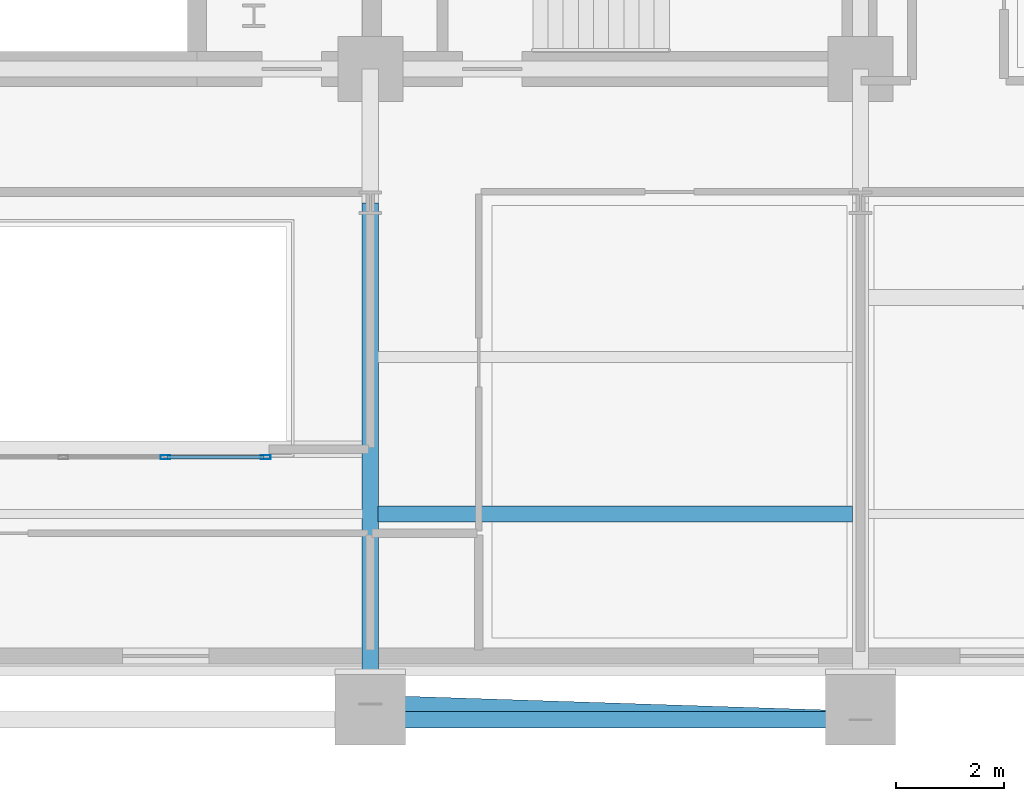
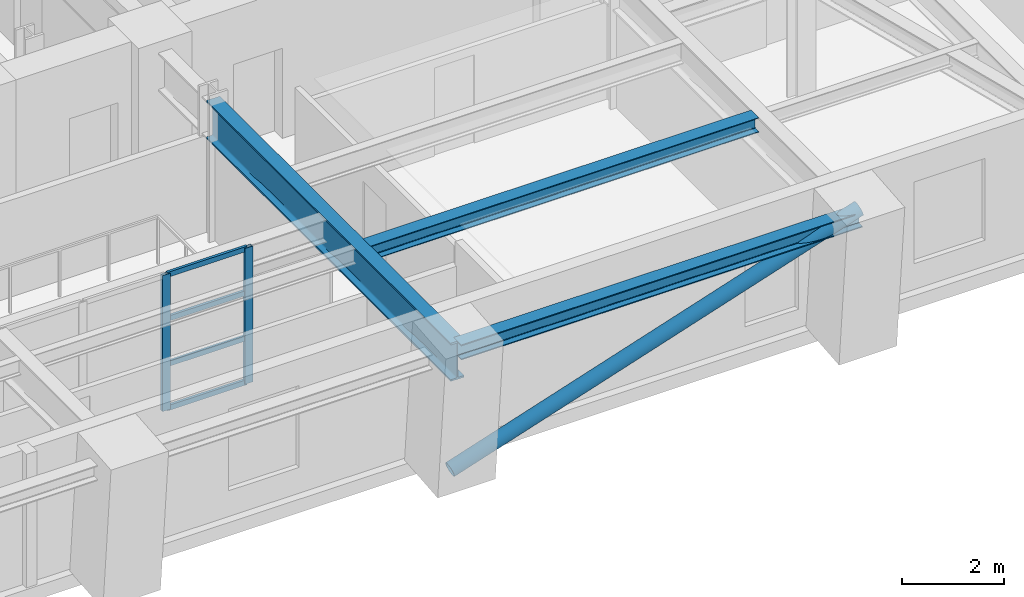
# One storey, part 5 of 15: 7 members, 3 beams, 1 element without a shape of its own.
"""IFC4 building model written with IfcOpenShell, lengths in metres."""

from ifc_helpers import new_model, si_unit, direction, frame, origin, origin_2d, place, context, subcontext, project, spatial, hollow_rectangle, hollow_circle, i_section, extrude, material, layer, layer_set, material_profile, profile_set, type_object, element, aggregate, save


model = new_model("IFC4")

# Units and contexts
model_context = context("Model", 3, precision=1e-05, world=origin(), true_north=direction((0.0, 1.0)))
body_context = subcontext(model_context, "Body", "Model", "MODEL_VIEW")
ifc_project = project(units=[si_unit("LENGTHUNIT", "METRE"), si_unit("AREAUNIT", "SQUARE_METRE"), si_unit("VOLUMEUNIT", "CUBIC_METRE"), si_unit("PLANEANGLEUNIT", "RADIAN"), si_unit("MASSUNIT", "GRAM", prefix="KILO")], contexts=[model_context])

# Site, building, storey
site_placement = place(None, origin())
site = spatial("IfcSite", under=ifc_project, at=site_placement, CompositionType="ELEMENT")
building_placement = place(site_placement, origin())
building = spatial("IfcBuilding", under=site, at=building_placement, Name="Zarnavel Station Tower", CompositionType="ELEMENT")
storey_placement = place(building_placement, frame((0.0, 0.0, 111.800048828125)))
storey = spatial("IfcBuildingStorey", under=building, at=storey_placement, Name="L30", CompositionType="ELEMENT", Elevation=111.800048828125)

# Curtain wall, members
ifc_material_1 = material(Name="Aluminium Dark Anodised and Solar-Control Glass", Category="aluminium")
ifc_layer = layer(ifc_material_1, 0.179931640625)
ifc_layer_set = layer_set([ifc_layer], Name="CWS3")
curtain_wall_type = type_object("IfcCurtainWallType", Name="CWS3", PredefinedType="NOTDEFINED", material=ifc_layer_set)
curtain_wall_placement = place(storey_placement, origin())
curtain_wall = element("IfcCurtainWall", 1, at=curtain_wall_placement, inside=storey, type_object=curtain_wall_type, Name="L30 Curtain Wall CWS3-L30-AS", PredefinedType="NOTDEFINED")
ifc_material_2 = material(Name="Steel S355J2 (Black Fluoropolymer Coated)", Category="steel")
ifc_material_profile_1 = material_profile(ifc_material_2, hollow_rectangle(XDim=0.080078125, YDim=0.179931640625, WallThickness=0.00634765625, at=origin_2d()), Name="RHS180x80x6.3")
ifc_profile_set_1 = profile_set([ifc_material_profile_1], Name="Steel S355J2 (Black Fluoropolymer Coated)")
member_type_1 = type_object("IfcMemberType", Name="CWS3_MUL", PredefinedType="MULLION", material=ifc_profile_set_1)
member_1_placement = place(storey_placement, frame((32.566650390625, 20.64990234375, 0.0), z_axis=(0.0, 0.0, 1.0), x_axis=(0.0, 1.0, 0.0)))
member_1 = element("IfcMember", 2, at=member_1_placement, type_object=member_type_1, Name="CW3 mullion 6", PredefinedType="MULLION", context=body_context, shape_type="SweptSolid", body=[
    extrude(hollow_rectangle(XDim=0.080078125, YDim=0.179931640625, WallThickness=0.00634765625, at=origin_2d()), origin(), (0.0, 0.0, 1.0), 3.239990234375),
])
member_2_placement = place(storey_placement, frame((34.419921875, 20.64990234375, 0.0), z_axis=(0.0, 0.0, 1.0), x_axis=(0.0, 1.0, 0.0)))
member_2 = element("IfcMember", 3, at=member_2_placement, type_object=member_type_1, Name="CW3 mullion 7", PredefinedType="MULLION", context=body_context, shape_type="SweptSolid", body=[
    extrude(hollow_rectangle(XDim=0.080078125, YDim=0.179931640625, WallThickness=0.00634765625, at=origin_2d()), origin(), (0.0, 0.0, 1.0), 3.239990234375),
])
ifc_material_3 = material(Name="Steel S355J2 (Black Fluoropolymer Coated)", Category="steel")
ifc_material_profile_2 = material_profile(ifc_material_3, hollow_rectangle(XDim=0.06005859375, YDim=0.1201171875, WallThickness=0.0048828125, at=origin_2d()), Name="RHS120x60x5")
ifc_profile_set_2 = profile_set([ifc_material_profile_2], Name="Steel S355J2 (Black Fluoropolymer Coated)")
member_type_2 = type_object("IfcMemberType", Name="CWS3_TRN", PredefinedType="USERDEFINED", material=ifc_profile_set_2)
member_3_placement = place(storey_placement, frame((32.5966796875, 20.64990234375, 0.030029296875), z_axis=(1.0, 0.0, 0.0), x_axis=(0.0, 1.0, 0.0)))
member_3 = element("IfcMember", 4, at=member_3_placement, type_object=member_type_2, Name="CW3 transom 6.1", ObjectType="TRANSOM", PredefinedType="USERDEFINED", context=body_context, shape_type="SweptSolid", body=[
    extrude(hollow_rectangle(XDim=0.06005859375, YDim=0.1201171875, WallThickness=0.0048828125, at=origin_2d()), origin(), (0.0, 0.0, 1.0), 1.793212890625),
])
member_4_placement = place(storey_placement, frame((32.5966796875, 20.64990234375, 1.079833984375), z_axis=(1.0, 0.0, 0.0), x_axis=(0.0, 1.0, 0.0)))
member_4 = element("IfcMember", 5, at=member_4_placement, type_object=member_type_2, Name="CW3 transom 6.2", ObjectType="TRANSOM", PredefinedType="USERDEFINED", context=body_context, shape_type="SweptSolid", body=[
    extrude(hollow_rectangle(XDim=0.06005859375, YDim=0.1201171875, WallThickness=0.0048828125, at=origin_2d()), origin(), (0.0, 0.0, 1.0), 1.793212890625),
])
member_5_placement = place(storey_placement, frame((32.5966796875, 20.64990234375, 2.159912109375), z_axis=(1.0, 0.0, 0.0), x_axis=(0.0, 1.0, 0.0)))
member_5 = element("IfcMember", 6, at=member_5_placement, type_object=member_type_2, Name="CW3 transom 6.3", ObjectType="TRANSOM", PredefinedType="USERDEFINED", context=body_context, shape_type="SweptSolid", body=[
    extrude(hollow_rectangle(XDim=0.06005859375, YDim=0.1201171875, WallThickness=0.0048828125, at=origin_2d()), origin(), (0.0, 0.0, 1.0), 1.793212890625),
])
member_6_placement = place(storey_placement, frame((32.5966796875, 20.64990234375, 3.2099609375), z_axis=(1.0, 0.0, 0.0), x_axis=(0.0, 1.0, 0.0)))
member_6 = element("IfcMember", 7, at=member_6_placement, type_object=member_type_2, Name="CW3 transom 6.4", ObjectType="TRANSOM", PredefinedType="USERDEFINED", context=body_context, shape_type="SweptSolid", body=[
    extrude(hollow_rectangle(XDim=0.06005859375, YDim=0.1201171875, WallThickness=0.0048828125, at=origin_2d()), origin(), (0.0, 0.0, 1.0), 1.793212890625),
])
aggregate(curtain_wall, [member_1, member_2, member_3, member_4, member_5, member_6])

# Member
ifc_material_4 = material(Name="Steel S355J2", Category="steel")
ifc_material_profile_3 = material_profile(ifc_material_4, hollow_circle(Radius=0.161865234375, WallThickness=0.012451171875, at=origin_2d()), Name="CHS323.9x12.5")
ifc_profile_set_3 = profile_set([ifc_material_profile_3], Name="Steel S355J2")
member_type_3 = type_object("IfcMemberType", Name="DB_EXT_CHS324", PredefinedType="BRACE", material=ifc_profile_set_3)
member_7_placement = place(storey_placement, frame((36.35009765625, 16.0966796875, 0.0), z_axis=(0.94104157458, -0.030540439576, 0.336909537505), x_axis=(0.032436790978, 0.999473788846, 0.0)))
element("IfcMember", 8, at=member_7_placement, inside=storey, type_object=member_type_3, Name="L30 Persian Exterior Diagonal Frame Brace 2", PredefinedType="BRACE", context=body_context, shape_type="SweptSolid", body=[
    extrude(hollow_circle(Radius=0.161865234375, WallThickness=0.012451171875, at=origin_2d()), origin(), (0.0, 0.0, 1.0), 9.61669921875),
])

# Beams
ifc_material_5 = material(Name="Steel S355J2", Category="steel")
ifc_material_profile_4 = material_profile(ifc_material_5, i_section(OverallWidth=0.300048828125, OverallDepth=0.360107421875, WebThickness=0.012451171875, FlangeThickness=0.0224609375, FilletRadius=0.027099609375, at=origin_2d()), Name="HEB360")
ifc_profile_set_4 = profile_set([ifc_material_profile_4], Name="Steel S355J2")
beam_type_1 = type_object("IfcBeamType", Name="EB_HEB360", PredefinedType="SPANDREL", material=ifc_profile_set_4)
beam_1_placement = place(storey_placement, frame((36.35009765625, 15.802978515625, 3.06005859375), z_axis=(1.0, 0.0, 0.0), x_axis=(0.0, 1.0, 0.0)))
element("IfcBeam", 9, at=beam_1_placement, inside=storey, type_object=beam_type_1, Name="L30 South Raked Spandrel 4", PredefinedType="SPANDREL", context=body_context, shape_type="SweptSolid", body=[
    extrude(i_section(OverallWidth=0.300048828125, OverallDepth=0.360107421875, WebThickness=0.012451171875, FlangeThickness=0.0224609375, FilletRadius=0.027099609375, at=origin_2d()), origin(), (0.0, 0.0, 1.0), 9.0498046875),
])
ifc_material_6 = material(Name="Steel S355J2", Category="steel")
ifc_material_profile_5 = material_profile(ifc_material_6, i_section(OverallWidth=0.300048828125, OverallDepth=0.35009765625, WebThickness=0.010009765625, FlangeThickness=0.017578125, FilletRadius=0.027099609375, at=origin_2d()), Name="HEA360")
ifc_profile_set_5 = profile_set([ifc_material_profile_5], Name="Steel S355J2")
beam_type_2 = type_object("IfcBeamType", Name="FB_HEA360", PredefinedType="BEAM", material=ifc_profile_set_5)
beam_2_placement = place(storey_placement, frame((36.4951171875, 19.60205078125, 3.06494140625), z_axis=(1.0, 0.0, 0.0), x_axis=(0.0, 1.0, 0.0)))
element("IfcBeam", 10, at=beam_2_placement, inside=storey, type_object=beam_type_2, Name="L30 East Bay Beam 1", PredefinedType="BEAM", context=body_context, shape_type="SweptSolid", body=[
    extrude(i_section(OverallWidth=0.300048828125, OverallDepth=0.35009765625, WebThickness=0.010009765625, FlangeThickness=0.017578125, FilletRadius=0.027099609375, at=origin_2d()), origin(), (0.0, 0.0, 1.0), 8.759765625),
])
ifc_material_7 = material(Name="Steel S460M", Category="steel")
ifc_material_profile_6 = material_profile(ifc_material_7, i_section(OverallWidth=0.302001953125, OverallDepth=0.909912109375, WebThickness=0.02099609375, FlangeThickness=0.0400390625, FilletRadius=0.030029296875, at=origin_2d()), Name="HEM900")
ifc_profile_set_6 = profile_set([ifc_material_profile_6], Name="Steel S460M")
beam_type_3 = type_object("IfcBeamType", Name="TG_HEM900", PredefinedType="USERDEFINED", material=ifc_profile_set_6)
beam_3_placement = place(storey_placement, frame((36.35009765625, 15.802978515625, 2.784912109375), z_axis=(0.0, 1.0, 0.0), x_axis=(-1.0, 0.0, 0.0)))
element("IfcBeam", 11, at=beam_3_placement, inside=storey, type_object=beam_type_3, Name="L30 South-Zone NS Girder 4", ObjectType="GIRDER", PredefinedType="USERDEFINED", context=body_context, shape_type="SweptSolid", body=[
    extrude(i_section(OverallWidth=0.302001953125, OverallDepth=0.909912109375, WebThickness=0.02099609375, FlangeThickness=0.0400390625, FilletRadius=0.030029296875, at=origin_2d()), origin(), (0.0, 0.0, 1.0), 9.547119140625),
])

save(model, "model.ifc")
